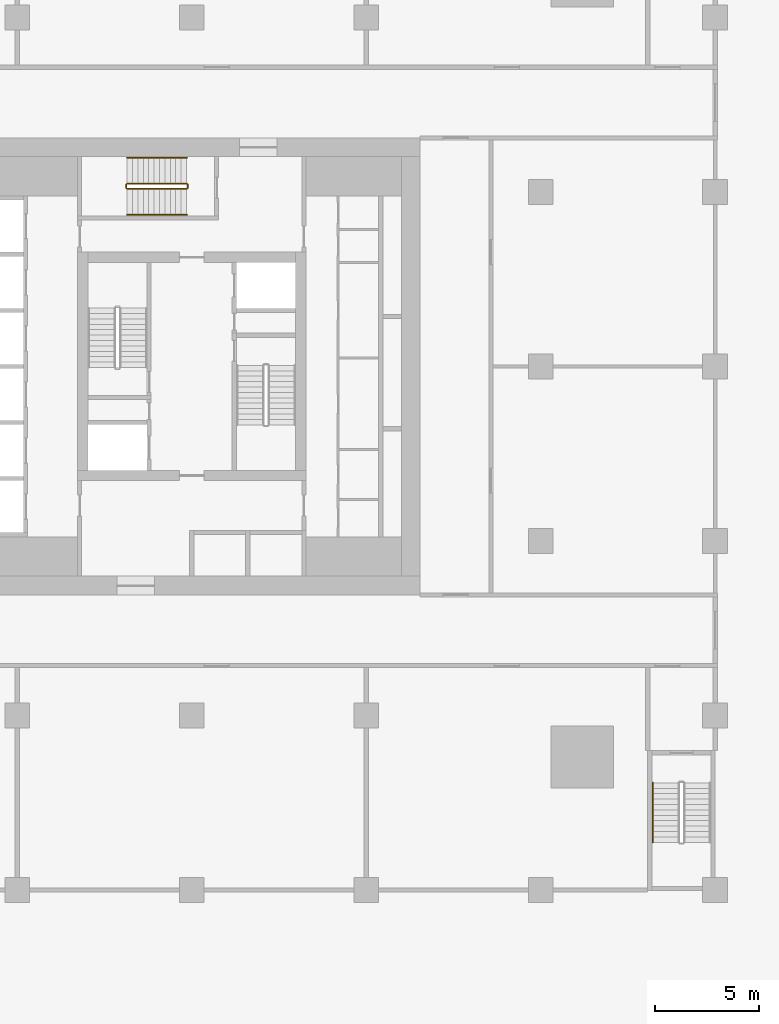
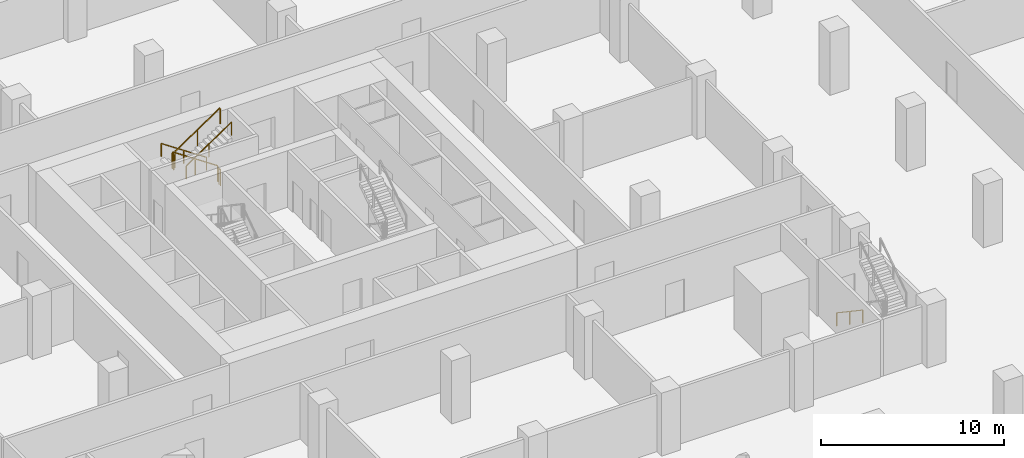
# One storey, part 13 of 16: 7 railings.
"""IFC4 building model written with IfcOpenShell, lengths in metres."""

from ifc_helpers import new_model, si_unit, direction, frame, origin, origin_2d, place, context, subcontext, project, spatial, rectangle, extrude, material, type_object, element, save


model = new_model("IFC4")

# Units and contexts
model_context = context("Model", 3, precision=1e-05, world=origin(), true_north=direction((0.0, 1.0)))
body_context = subcontext(model_context, "Body", "Model", "MODEL_VIEW")
ifc_project = project(units=[si_unit("LENGTHUNIT", "METRE"), si_unit("AREAUNIT", "SQUARE_METRE"), si_unit("VOLUMEUNIT", "CUBIC_METRE"), si_unit("PLANEANGLEUNIT", "RADIAN"), si_unit("MASSUNIT", "GRAM", prefix="KILO")], contexts=[model_context])

# Site, building, storey
site_placement = place(None, origin())
site = spatial("IfcSite", under=ifc_project, at=site_placement, CompositionType="ELEMENT")
building_placement = place(site_placement, origin())
building = spatial("IfcBuilding", under=site, at=building_placement, Name="Khepri Terraces", CompositionType="ELEMENT")
storey_placement = place(building_placement, frame((0.0, 0.0, -4.199951171875)))
storey = spatial("IfcBuildingStorey", under=building, at=storey_placement, Name="B1", CompositionType="ELEMENT", Elevation=-4.199951171875)

# Railings
ifc_material = material(Name="Stainless steel 316", Category="steel")
railing_type_1 = type_object("IfcRailingType", Name="RL-CORE-GUARD", PredefinedType="GUARDRAIL", material=ifc_material)
railing_1_placement = place(storey_placement, frame((-0.25, 8.800048828125, 0.175048828125)))
element("IfcRailing", 1, at=railing_1_placement, inside=storey, type_object=railing_type_1, Name="B1 ST-3 stair guard 1", PredefinedType="GUARDRAIL", context=body_context, shape_type="SweptSolid", body=[
    extrude(rectangle(XDim=0.050048828125, YDim=0.06005859375, at=origin_2d()), frame((0.0, 0.0, 1.070068359375), z_axis=(-0.829623704247, 0.0, 0.558322943601), x_axis=(0.0, -1.0, 0.0)), (0.0, 0.0, 1.0), 3.447509765625),
    extrude(rectangle(XDim=0.050048828125, YDim=0.050048828125, at=origin_2d()), origin(), (0.0, 0.0, 1.0), 1.0400390625),
    extrude(rectangle(XDim=0.050048828125, YDim=0.050048828125, at=origin_2d()), frame((-1.43017578125, 0.0, 0.96240234375)), (0.0, 0.0, 1.0), 1.0400390625),
    extrude(rectangle(XDim=0.050048828125, YDim=0.050048828125, at=origin_2d()), frame((-2.860107421875, 0.0, 1.9248046875)), (0.0, 0.0, 1.0), 1.0400390625),
])
railing_2_placement = place(storey_placement, frame((-3.159912109375, 8.75, 2.099853515625)))
element("IfcRailing", 2, at=railing_2_placement, inside=storey, type_object=railing_type_1, Name="B1 ST-3 stair guard 2", PredefinedType="GUARDRAIL", context=body_context, shape_type="SweptSolid", body=[
    extrude(rectangle(XDim=0.050048828125, YDim=0.06005859375, at=origin_2d()), frame((0.0, 0.0, 1.070068359375), z_axis=(0.0, -1.0, 0.0), x_axis=(1.0, 0.0, 0.0)), (0.0, 0.0, 1.0), 0.14990234375),
    extrude(rectangle(XDim=0.050048828125, YDim=0.050048828125, at=origin_2d()), origin(), (0.0, 0.0, 1.0), 1.0400390625),
    extrude(rectangle(XDim=0.050048828125, YDim=0.050048828125, at=origin_2d()), frame((0.0, -0.14990234375, 0.0)), (0.0, 0.0, 1.0), 1.0400390625),
])
railing_3_placement = place(storey_placement, frame((-3.110107421875, 8.550048828125, 2.27490234375)))
element("IfcRailing", 3, at=railing_3_placement, inside=storey, type_object=railing_type_1, Name="B1 ST-3 stair guard 3", PredefinedType="GUARDRAIL", context=body_context, shape_type="SweptSolid", body=[
    extrude(rectangle(XDim=0.050048828125, YDim=0.06005859375, at=origin_2d()), frame((0.0, 0.0, 1.070068359375), z_axis=(0.829590901723, 0.0, 0.558371682465), x_axis=(0.0, 1.0, 0.0)), (0.0, 0.0, 1.0), 3.447509765625),
    extrude(rectangle(XDim=0.050048828125, YDim=0.050048828125, at=origin_2d()), origin(), (0.0, 0.0, 1.0), 1.0400390625),
    extrude(rectangle(XDim=0.050048828125, YDim=0.050048828125, at=origin_2d()), frame((1.43017578125, 0.0, 0.96240234375)), (0.0, 0.0, 1.0), 1.0400390625),
    extrude(rectangle(XDim=0.050048828125, YDim=0.050048828125, at=origin_2d()), frame((2.860107421875, 0.0, 1.925048828125)), (0.0, 0.0, 1.0), 1.0400390625),
])
railing_4_placement = place(storey_placement, frame((-0.199951171875, 8.75, 0.0)))
element("IfcRailing", 4, at=railing_4_placement, inside=storey, type_object=railing_type_1, Name="B1 ST-3 stair guard 4", PredefinedType="GUARDRAIL", context=body_context, shape_type="SweptSolid", body=[
    extrude(rectangle(XDim=0.050048828125, YDim=0.06005859375, at=origin_2d()), frame((0.0, 0.0, 1.070068359375), z_axis=(0.0, -1.0, 0.0), x_axis=(1.0, 0.0, 0.0)), (0.0, 0.0, 1.0), 0.14990234375),
    extrude(rectangle(XDim=0.050048828125, YDim=0.050048828125, at=origin_2d()), origin(), (0.0, 0.0, 1.0), 1.0400390625),
    extrude(rectangle(XDim=0.050048828125, YDim=0.050048828125, at=origin_2d()), frame((0.0, -0.14990234375, 0.0)), (0.0, 0.0, 1.0), 1.0400390625),
])
railing_type_2 = type_object("IfcRailingType", Name="RL-CORE-HANDRAIL", PredefinedType="HANDRAIL", material=ifc_material)
railing_5_placement = place(storey_placement, frame((-0.25, 10.050048828125, 0.175048828125)))
element("IfcRailing", 5, at=railing_5_placement, inside=storey, type_object=railing_type_2, Name="B1 ST-3 stair handrail 1", PredefinedType="HANDRAIL", context=body_context, shape_type="SweptSolid", body=[
    extrude(rectangle(XDim=0.050048828125, YDim=0.050048828125, at=origin_2d()), frame((0.0, 0.0, 0.875), z_axis=(-0.829623704247, 0.0, 0.558322943601), x_axis=(0.0, -1.0, 0.0)), (0.0, 0.0, 1.0), 3.447509765625),
    extrude(rectangle(XDim=0.050048828125, YDim=0.050048828125, at=origin_2d()), origin(), (0.0, 0.0, 1.0), 0.849853515625),
    extrude(rectangle(XDim=0.050048828125, YDim=0.050048828125, at=origin_2d()), frame((-1.43017578125, 0.0, 0.96240234375)), (0.0, 0.0, 1.0), 0.849853515625),
    extrude(rectangle(XDim=0.050048828125, YDim=0.050048828125, at=origin_2d()), frame((-2.860107421875, 0.0, 1.9248046875)), (0.0, 0.0, 1.0), 0.849853515625),
])
railing_6_placement = place(storey_placement, frame((-3.110107421875, 7.300048828125, 2.27490234375)))
element("IfcRailing", 6, at=railing_6_placement, inside=storey, type_object=railing_type_2, Name="B1 ST-3 stair handrail 2", PredefinedType="HANDRAIL", context=body_context, shape_type="SweptSolid", body=[
    extrude(rectangle(XDim=0.050048828125, YDim=0.050048828125, at=origin_2d()), frame((0.0, 0.0, 0.875), z_axis=(0.829590901723, 0.0, 0.558371682465), x_axis=(0.0, 1.0, 0.0)), (0.0, 0.0, 1.0), 3.447509765625),
    extrude(rectangle(XDim=0.050048828125, YDim=0.050048828125, at=origin_2d()), origin(), (0.0, 0.0, 1.0), 0.849853515625),
    extrude(rectangle(XDim=0.050048828125, YDim=0.050048828125, at=origin_2d()), frame((1.43017578125, 0.0, 0.96240234375)), (0.0, 0.0, 1.0), 0.849853515625),
    extrude(rectangle(XDim=0.050048828125, YDim=0.050048828125, at=origin_2d()), frame((2.860107421875, 0.0, 1.925048828125)), (0.0, 0.0, 1.0), 0.849853515625),
])
railing_type_3 = type_object("IfcRailingType", Name="RL-POD-HANDRAIL", PredefinedType="HANDRAIL", material=ifc_material)
railing_7_placement = place(storey_placement, frame((22.199951171875, -20.050048828125, 0.175048828125)))
element("IfcRailing", 7, at=railing_7_placement, inside=storey, type_object=railing_type_3, Name="B1 PS-3 stair handrail 1", PredefinedType="HANDRAIL", context=body_context, shape_type="SweptSolid", body=[
    extrude(rectangle(XDim=0.050048828125, YDim=0.050048828125, at=origin_2d()), frame((0.0, 0.0, 0.875), z_axis=(0.0, -0.829601626839, 0.558355747482), x_axis=(1.0, 0.0, 0.0)), (0.0, 0.0, 1.0), 3.447265625),
    extrude(rectangle(XDim=0.050048828125, YDim=0.050048828125, at=origin_2d()), origin(), (0.0, 0.0, 1.0), 0.849853515625),
    extrude(rectangle(XDim=0.050048828125, YDim=0.050048828125, at=origin_2d()), frame((0.0, -1.429931640625, 0.96240234375)), (0.0, 0.0, 1.0), 0.849853515625),
    extrude(rectangle(XDim=0.050048828125, YDim=0.050048828125, at=origin_2d()), frame((0.0, -2.85986328125, 1.9248046875)), (0.0, 0.0, 1.0), 0.849853515625),
])

save(model, "model.ifc")
